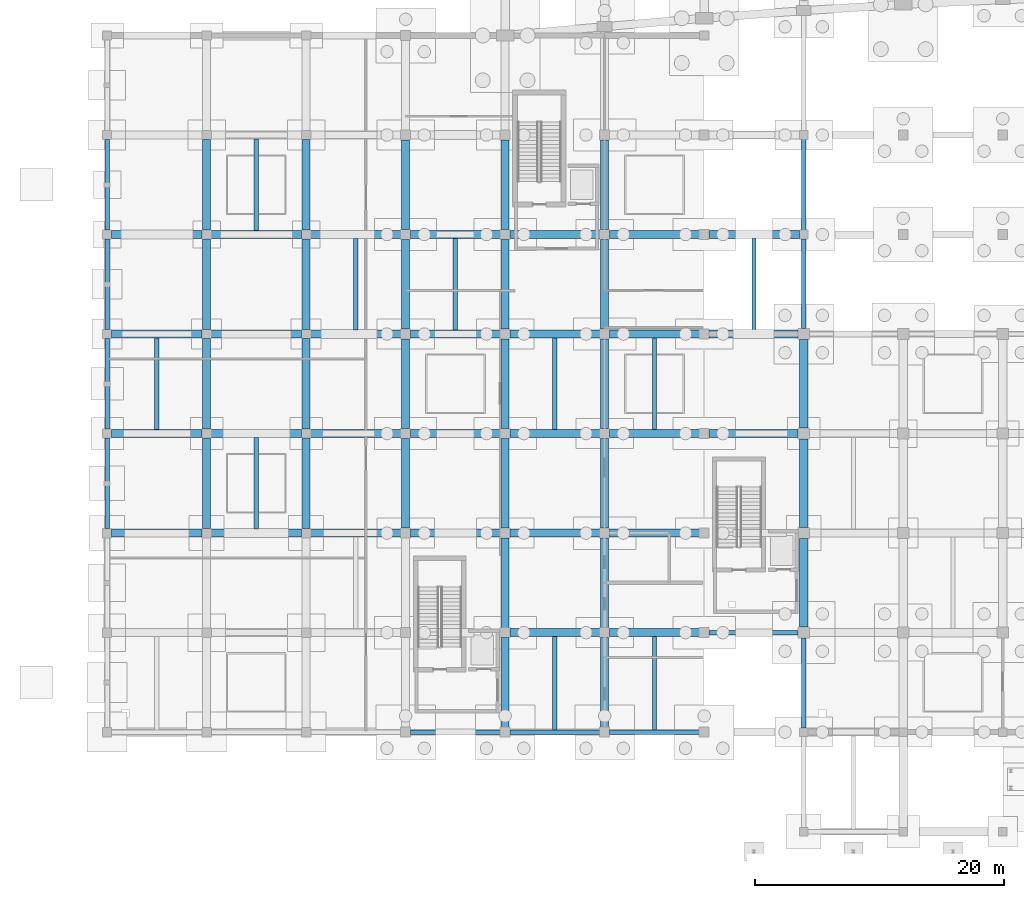
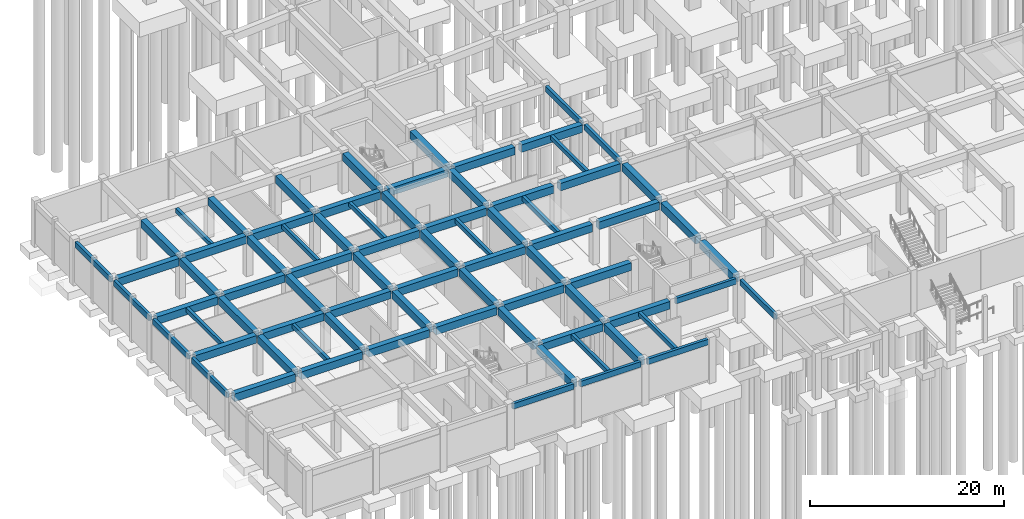
# One storey, part 13 of 45: 77 beams.
"""IFC4 building model written with IfcOpenShell, lengths in metres."""

from ifc_helpers import new_model, si_unit, direction, frame, origin, origin_2d, place, context, subcontext, project, spatial, rectangle, extrude, material, material_profile, profile_set, type_object, element, save


model = new_model("IFC4")

# Units and contexts
model_context = context("Model", 3, precision=1e-05, world=origin(), true_north=direction((0.0, 1.0)))
body_context = subcontext(model_context, "Body", "Model", "MODEL_VIEW")
ifc_project = project(units=[si_unit("LENGTHUNIT", "METRE"), si_unit("AREAUNIT", "SQUARE_METRE"), si_unit("VOLUMEUNIT", "CUBIC_METRE"), si_unit("PLANEANGLEUNIT", "RADIAN"), si_unit("MASSUNIT", "GRAM", prefix="KILO")], contexts=[model_context])

# Site, building, storey
site_placement = place(None, origin())
site = spatial("IfcSite", under=ifc_project, at=site_placement, CompositionType="ELEMENT")
building_placement = place(site_placement, origin())
building = spatial("IfcBuilding", under=site, at=building_placement, Name="Kenh Van Central Station", CompositionType="ELEMENT")
storey_placement = place(building_placement, frame((0.0, 0.0, -5.39990234375)))
storey = spatial("IfcBuildingStorey", under=building, at=storey_placement, Name="B1", CompositionType="ELEMENT", Elevation=-5.39990234375)

# Beams
ifc_material_1 = material(Name="Concrete C40/50", Category="concrete")
ifc_material_profile_1 = material_profile(ifc_material_1, rectangle(XDim=0.64990234375, YDim=0.949951171875, at=origin_2d()), Name="RC 650x950")
ifc_profile_set_1 = profile_set([ifc_material_profile_1], Name="Concrete C40/50")
beam_type_1 = type_object("IfcBeamType", Name="BM-RC-650x950", PredefinedType="BEAM", material=ifc_profile_set_1)
for number, where, z_axis, x_axis, name in (
    (1, (32.389892578125, 16.0, 4.625), (1.0, 0.0, 0.0), (0.0, 1.0, 0.0), "B1 beam 0020"),
    (2, (40.389892578125, 16.0, 4.625), (1.0, 0.0, 0.0), (0.0, 1.0, 0.0), "B1 beam 0021"),
):
    element("IfcBeam", number, at=place(storey_placement, frame(where, z_axis=z_axis, x_axis=x_axis)), inside=storey, type_object=beam_type_1, Name=name, PredefinedType="BEAM", context=body_context, shape_type="SweptSolid", body=[
        extrude(rectangle(XDim=0.64990234375, YDim=0.949951171875, at=origin_2d()), origin(), (0.0, 0.0, 1.0), 7.22021484375),
    ])
for number, where, z_axis, x_axis, name in (
    (3, (0.364990234375, 24.0, 4.625), (1.0, 0.0, 0.0), (0.0, 1.0, 0.0), "B1 beam 0034"),
    (4, (8.364990234375, 24.0, 4.625), (1.0, 0.0, 0.0), (0.0, 1.0, 0.0), "B1 beam 0035"),
):
    element("IfcBeam", number, at=place(storey_placement, frame(where, z_axis=z_axis, x_axis=x_axis)), inside=storey, type_object=beam_type_1, Name=name, PredefinedType="BEAM", context=body_context, shape_type="SweptSolid", body=[
        extrude(rectangle(XDim=0.64990234375, YDim=0.949951171875, at=origin_2d()), origin(), (0.0, 0.0, 1.0), 7.27001953125),
    ])
beam_1_placement = place(storey_placement, frame((16.364990234375, 24.0, 4.625), z_axis=(1.0, 0.0, 0.0), x_axis=(0.0, 1.0, 0.0)))
element("IfcBeam", 5, at=beam_1_placement, inside=storey, type_object=beam_type_1, Name="B1 beam 0036", PredefinedType="BEAM", context=body_context, shape_type="SweptSolid", body=[
    extrude(rectangle(XDim=0.64990234375, YDim=0.949951171875, at=origin_2d()), origin(), (0.0, 0.0, 1.0), 7.2451171875),
])
for number, where, z_axis, x_axis, name in (
    (6, (24.389892578125, 24.0, 4.625), (1.0, 0.0, 0.0), (0.0, 1.0, 0.0), "B1 beam 0037"),
    (7, (32.389892578125, 24.0, 4.625), (1.0, 0.0, 0.0), (0.0, 1.0, 0.0), "B1 beam 0038"),
    (8, (40.389892578125, 24.0, 4.625), (1.0, 0.0, 0.0), (0.0, 1.0, 0.0), "B1 beam 0039"),
):
    element("IfcBeam", number, at=place(storey_placement, frame(where, z_axis=z_axis, x_axis=x_axis)), inside=storey, type_object=beam_type_1, Name=name, PredefinedType="BEAM", context=body_context, shape_type="SweptSolid", body=[
        extrude(rectangle(XDim=0.64990234375, YDim=0.949951171875, at=origin_2d()), origin(), (0.0, 0.0, 1.0), 7.22021484375),
    ])
for number, where, z_axis, x_axis, name in (
    (9, (0.364990234375, 32.0, 4.625), (1.0, 0.0, 0.0), (0.0, 1.0, 0.0), "B1 beam 0053"),
    (10, (8.364990234375, 32.0, 4.625), (1.0, 0.0, 0.0), (0.0, 1.0, 0.0), "B1 beam 0054"),
):
    element("IfcBeam", number, at=place(storey_placement, frame(where, z_axis=z_axis, x_axis=x_axis)), inside=storey, type_object=beam_type_1, Name=name, PredefinedType="BEAM", context=body_context, shape_type="SweptSolid", body=[
        extrude(rectangle(XDim=0.64990234375, YDim=0.949951171875, at=origin_2d()), origin(), (0.0, 0.0, 1.0), 7.27001953125),
    ])
beam_2_placement = place(storey_placement, frame((16.364990234375, 32.0, 4.625), z_axis=(1.0, 0.0, 0.0), x_axis=(0.0, 1.0, 0.0)))
element("IfcBeam", 11, at=beam_2_placement, inside=storey, type_object=beam_type_1, Name="B1 beam 0055", PredefinedType="BEAM", context=body_context, shape_type="SweptSolid", body=[
    extrude(rectangle(XDim=0.64990234375, YDim=0.949951171875, at=origin_2d()), origin(), (0.0, 0.0, 1.0), 7.2451171875),
])
for number, where, z_axis, x_axis, name in (
    (12, (24.389892578125, 32.0, 4.625), (1.0, 0.0, 0.0), (0.0, 1.0, 0.0), "B1 beam 0056"),
    (13, (32.389892578125, 32.0, 4.625), (1.0, 0.0, 0.0), (0.0, 1.0, 0.0), "B1 beam 0057"),
    (14, (40.389892578125, 32.0, 4.625), (1.0, 0.0, 0.0), (0.0, 1.0, 0.0), "B1 beam 0058"),
):
    element("IfcBeam", number, at=place(storey_placement, frame(where, z_axis=z_axis, x_axis=x_axis)), inside=storey, type_object=beam_type_1, Name=name, PredefinedType="BEAM", context=body_context, shape_type="SweptSolid", body=[
        extrude(rectangle(XDim=0.64990234375, YDim=0.949951171875, at=origin_2d()), origin(), (0.0, 0.0, 1.0), 7.22021484375),
    ])
beam_3_placement = place(storey_placement, frame((48.389892578125, 32.0, 4.625), z_axis=(1.0, 0.0, 0.0), x_axis=(0.0, 1.0, 0.0)))
element("IfcBeam", 15, at=beam_3_placement, inside=storey, type_object=beam_type_1, Name="B1 beam 0059", PredefinedType="BEAM", context=body_context, shape_type="SweptSolid", body=[
    extrude(rectangle(XDim=0.64990234375, YDim=0.949951171875, at=origin_2d()), origin(), (0.0, 0.0, 1.0), 7.170166015625),
])
for number, where, z_axis, x_axis, name in (
    (16, (0.364990234375, 40.0, 4.625), (1.0, 0.0, 0.0), (0.0, 1.0, 0.0), "B1 beam 0073"),
    (17, (8.364990234375, 40.0, 4.625), (1.0, 0.0, 0.0), (0.0, 1.0, 0.0), "B1 beam 0074"),
):
    element("IfcBeam", number, at=place(storey_placement, frame(where, z_axis=z_axis, x_axis=x_axis)), inside=storey, type_object=beam_type_1, Name=name, PredefinedType="BEAM", context=body_context, shape_type="SweptSolid", body=[
        extrude(rectangle(XDim=0.64990234375, YDim=0.949951171875, at=origin_2d()), origin(), (0.0, 0.0, 1.0), 7.27001953125),
    ])
beam_4_placement = place(storey_placement, frame((16.364990234375, 40.0, 4.625), z_axis=(1.0, 0.0, 0.0), x_axis=(0.0, 1.0, 0.0)))
element("IfcBeam", 18, at=beam_4_placement, inside=storey, type_object=beam_type_1, Name="B1 beam 0075", PredefinedType="BEAM", context=body_context, shape_type="SweptSolid", body=[
    extrude(rectangle(XDim=0.64990234375, YDim=0.949951171875, at=origin_2d()), origin(), (0.0, 0.0, 1.0), 7.2451171875),
])
for number, where, z_axis, x_axis, name in (
    (19, (24.389892578125, 40.0, 4.625), (1.0, 0.0, 0.0), (0.0, 1.0, 0.0), "B1 beam 0076"),
    (20, (32.389892578125, 40.0, 4.625), (1.0, 0.0, 0.0), (0.0, 1.0, 0.0), "B1 beam 0077"),
    (21, (40.389892578125, 40.0, 4.625), (1.0, 0.0, 0.0), (0.0, 1.0, 0.0), "B1 beam 0078"),
):
    element("IfcBeam", number, at=place(storey_placement, frame(where, z_axis=z_axis, x_axis=x_axis)), inside=storey, type_object=beam_type_1, Name=name, PredefinedType="BEAM", context=body_context, shape_type="SweptSolid", body=[
        extrude(rectangle(XDim=0.64990234375, YDim=0.949951171875, at=origin_2d()), origin(), (0.0, 0.0, 1.0), 7.22021484375),
    ])
beam_5_placement = place(storey_placement, frame((48.389892578125, 40.0, 4.625), z_axis=(1.0, 0.0, 0.0), x_axis=(0.0, 1.0, 0.0)))
element("IfcBeam", 22, at=beam_5_placement, inside=storey, type_object=beam_type_1, Name="B1 beam 0079", PredefinedType="BEAM", context=body_context, shape_type="SweptSolid", body=[
    extrude(rectangle(XDim=0.64990234375, YDim=0.949951171875, at=origin_2d()), origin(), (0.0, 0.0, 1.0), 7.170166015625),
])
for number, where, z_axis, x_axis, name in (
    (23, (0.364990234375, 48.0, 4.625), (1.0, 0.0, 0.0), (0.0, 1.0, 0.0), "B1 beam 0094"),
    (24, (8.364990234375, 48.0, 4.625), (1.0, 0.0, 0.0), (0.0, 1.0, 0.0), "B1 beam 0095"),
):
    element("IfcBeam", number, at=place(storey_placement, frame(where, z_axis=z_axis, x_axis=x_axis)), inside=storey, type_object=beam_type_1, Name=name, PredefinedType="BEAM", context=body_context, shape_type="SweptSolid", body=[
        extrude(rectangle(XDim=0.64990234375, YDim=0.949951171875, at=origin_2d()), origin(), (0.0, 0.0, 1.0), 7.27001953125),
    ])
beam_6_placement = place(storey_placement, frame((16.364990234375, 48.0, 4.625), z_axis=(1.0, 0.0, 0.0), x_axis=(0.0, 1.0, 0.0)))
element("IfcBeam", 25, at=beam_6_placement, inside=storey, type_object=beam_type_1, Name="B1 beam 0096", PredefinedType="BEAM", context=body_context, shape_type="SweptSolid", body=[
    extrude(rectangle(XDim=0.64990234375, YDim=0.949951171875, at=origin_2d()), origin(), (0.0, 0.0, 1.0), 7.2451171875),
])
for number, where, z_axis, x_axis, name in (
    (26, (24.389892578125, 48.0, 4.625), (1.0, 0.0, 0.0), (0.0, 1.0, 0.0), "B1 beam 0097"),
    (27, (32.389892578125, 48.0, 4.625), (1.0, 0.0, 0.0), (0.0, 1.0, 0.0), "B1 beam 0098"),
    (28, (40.389892578125, 48.0, 4.625), (1.0, 0.0, 0.0), (0.0, 1.0, 0.0), "B1 beam 0099"),
):
    element("IfcBeam", number, at=place(storey_placement, frame(where, z_axis=z_axis, x_axis=x_axis)), inside=storey, type_object=beam_type_1, Name=name, PredefinedType="BEAM", context=body_context, shape_type="SweptSolid", body=[
        extrude(rectangle(XDim=0.64990234375, YDim=0.949951171875, at=origin_2d()), origin(), (0.0, 0.0, 1.0), 7.22021484375),
    ])
for number, where, z_axis, x_axis, name in (
    (29, (48.389892578125, 48.0, 4.625), (1.0, 0.0, 0.0), (0.0, 1.0, 0.0), "B1 beam 0100"),
    (30, (8.0, 24.364990234375, 4.625), (0.0, 1.0, 0.0), (-1.0, 0.0, 0.0), "B1 beam 0157"),
    (31, (8.0, 32.364990234375, 4.625), (0.0, 1.0, 0.0), (-1.0, 0.0, 0.0), "B1 beam 0158"),
    (32, (8.0, 40.364990234375, 4.625), (0.0, 1.0, 0.0), (-1.0, 0.0, 0.0), "B1 beam 0159"),
    (33, (8.0, 48.364990234375, 4.625), (0.0, 1.0, 0.0), (-1.0, 0.0, 0.0), "B1 beam 0160"),
    (34, (16.0, 24.364990234375, 4.625), (0.0, 1.0, 0.0), (-1.0, 0.0, 0.0), "B1 beam 0164"),
    (35, (16.0, 32.364990234375, 4.625), (0.0, 1.0, 0.0), (-1.0, 0.0, 0.0), "B1 beam 0165"),
    (36, (16.0, 40.364990234375, 4.625), (0.0, 1.0, 0.0), (-1.0, 0.0, 0.0), "B1 beam 0166"),
    (37, (16.0, 48.364990234375, 4.625), (0.0, 1.0, 0.0), (-1.0, 0.0, 0.0), "B1 beam 0167"),
):
    element("IfcBeam", number, at=place(storey_placement, frame(where, z_axis=z_axis, x_axis=x_axis)), inside=storey, type_object=beam_type_1, Name=name, PredefinedType="BEAM", context=body_context, shape_type="SweptSolid", body=[
        extrude(rectangle(XDim=0.64990234375, YDim=0.949951171875, at=origin_2d()), origin(), (0.0, 0.0, 1.0), 7.27001953125),
    ])
for number, where, z_axis, x_axis, name in (
    (38, (24.0, 24.389892578125, 4.625), (0.0, 1.0, 0.0), (-1.0, 0.0, 0.0), "B1 beam 0171"),
    (39, (24.0, 32.389892578125, 4.625), (0.0, 1.0, 0.0), (-1.0, 0.0, 0.0), "B1 beam 0172"),
    (40, (24.0, 40.389892578125, 4.625), (0.0, 1.0, 0.0), (-1.0, 0.0, 0.0), "B1 beam 0173"),
    (41, (24.0, 48.389892578125, 4.625), (0.0, 1.0, 0.0), (-1.0, 0.0, 0.0), "B1 beam 0174"),
    (42, (32.0, 8.389892578125, 4.625), (0.0, 1.0, 0.0), (-1.0, 0.0, 0.0), "B1 beam 0176"),
    (43, (32.0, 16.389892578125, 4.625), (0.0, 1.0, 0.0), (-1.0, 0.0, 0.0), "B1 beam 0177"),
    (44, (32.0, 24.389892578125, 4.625), (0.0, 1.0, 0.0), (-1.0, 0.0, 0.0), "B1 beam 0178"),
    (45, (32.0, 32.389892578125, 4.625), (0.0, 1.0, 0.0), (-1.0, 0.0, 0.0), "B1 beam 0179"),
    (46, (32.0, 40.389892578125, 4.625), (0.0, 1.0, 0.0), (-1.0, 0.0, 0.0), "B1 beam 0180"),
    (47, (32.0, 48.389892578125, 4.625), (0.0, 1.0, 0.0), (-1.0, 0.0, 0.0), "B1 beam 0181"),
    (48, (40.0, 8.389892578125, 4.625), (0.0, 1.0, 0.0), (-1.0, 0.0, 0.0), "B1 beam 0183"),
    (49, (40.0, 16.389892578125, 4.625), (0.0, 1.0, 0.0), (-1.0, 0.0, 0.0), "B1 beam 0184"),
    (50, (40.0, 24.389892578125, 4.625), (0.0, 1.0, 0.0), (-1.0, 0.0, 0.0), "B1 beam 0185"),
    (51, (40.0, 32.389892578125, 4.625), (0.0, 1.0, 0.0), (-1.0, 0.0, 0.0), "B1 beam 0186"),
    (52, (40.0, 40.389892578125, 4.625), (0.0, 1.0, 0.0), (-1.0, 0.0, 0.0), "B1 beam 0187"),
    (53, (40.0, 48.389892578125, 4.625), (0.0, 1.0, 0.0), (-1.0, 0.0, 0.0), "B1 beam 0188"),
):
    element("IfcBeam", number, at=place(storey_placement, frame(where, z_axis=z_axis, x_axis=x_axis)), inside=storey, type_object=beam_type_1, Name=name, PredefinedType="BEAM", context=body_context, shape_type="SweptSolid", body=[
        extrude(rectangle(XDim=0.64990234375, YDim=0.949951171875, at=origin_2d()), origin(), (0.0, 0.0, 1.0), 7.22021484375),
    ])
for number, where, z_axis, x_axis, name in (
    (54, (56.0, 16.43994140625, 4.625), (0.0, 1.0, 0.0), (-1.0, 0.0, 0.0), "B1 beam 0192"),
    (55, (56.0, 24.43994140625, 4.625), (0.0, 1.0, 0.0), (-1.0, 0.0, 0.0), "B1 beam 0193"),
    (56, (56.0, 32.43994140625, 4.625), (0.0, 1.0, 0.0), (-1.0, 0.0, 0.0), "B1 beam 0194"),
):
    element("IfcBeam", number, at=place(storey_placement, frame(where, z_axis=z_axis, x_axis=x_axis)), inside=storey, type_object=beam_type_1, Name=name, PredefinedType="BEAM", context=body_context, shape_type="SweptSolid", body=[
        extrude(rectangle(XDim=0.64990234375, YDim=0.949951171875, at=origin_2d()), origin(), (0.0, 0.0, 1.0), 7.1201171875),
    ])
ifc_material_2 = material(Name="Concrete C35/45", Category="concrete")
ifc_material_profile_2 = material_profile(ifc_material_2, rectangle(XDim=0.35009765625, YDim=0.550048828125, at=origin_2d()), Name="RC 350x550")
ifc_profile_set_2 = profile_set([ifc_material_profile_2], Name="Concrete C35/45")
beam_type_2 = type_object("IfcBeamType", Name="JST-RC-350x550", PredefinedType="JOIST", material=ifc_profile_set_2)
for number, where, z_axis, x_axis, name in (
    (57, (4.0, 32.324951171875, 4.824951171875), (0.0, 1.0, 0.0), (-1.0, 0.0, 0.0), "B1 floor joist 0314"),
    (58, (12.0, 24.324951171875, 4.824951171875), (0.0, 1.0, 0.0), (-1.0, 0.0, 0.0), "B1 floor joist 0315"),
    (59, (12.0, 48.324951171875, 4.824951171875), (0.0, 1.0, 0.0), (-1.0, 0.0, 0.0), "B1 floor joist 0316"),
    (60, (20.0, 40.324951171875, 4.824951171875), (0.0, 1.0, 0.0), (-1.0, 0.0, 0.0), "B1 floor joist 0318"),
    (61, (28.0, 40.324951171875, 4.824951171875), (0.0, 1.0, 0.0), (-1.0, 0.0, 0.0), "B1 floor joist 0319"),
):
    element("IfcBeam", number, at=place(storey_placement, frame(where, z_axis=z_axis, x_axis=x_axis)), inside=storey, type_object=beam_type_2, Name=name, PredefinedType="JOIST", context=body_context, shape_type="SweptSolid", body=[
        extrude(rectangle(XDim=0.35009765625, YDim=0.550048828125, at=origin_2d()), origin(), (0.0, 0.0, 1.0), 7.35009765625),
    ])
beam_7_placement = place(storey_placement, frame((36.0, 8.175048828125, 4.824951171875), z_axis=(0.0, 1.0, 0.0), x_axis=(-1.0, 0.0, 0.0)))
element("IfcBeam", 62, at=beam_7_placement, inside=storey, type_object=beam_type_2, Name="B1 floor joist 0320", PredefinedType="JOIST", context=body_context, shape_type="SweptSolid", body=[
    extrude(rectangle(XDim=0.35009765625, YDim=0.550048828125, at=origin_2d()), origin(), (0.0, 0.0, 1.0), 7.5),
])
beam_8_placement = place(storey_placement, frame((36.0, 32.324951171875, 4.824951171875), z_axis=(0.0, 1.0, 0.0), x_axis=(-1.0, 0.0, 0.0)))
element("IfcBeam", 63, at=beam_8_placement, inside=storey, type_object=beam_type_2, Name="B1 floor joist 0321", PredefinedType="JOIST", context=body_context, shape_type="SweptSolid", body=[
    extrude(rectangle(XDim=0.35009765625, YDim=0.550048828125, at=origin_2d()), origin(), (0.0, 0.0, 1.0), 7.35009765625),
])
beam_9_placement = place(storey_placement, frame((44.0, 8.175048828125, 4.824951171875), z_axis=(0.0, 1.0, 0.0), x_axis=(-1.0, 0.0, 0.0)))
element("IfcBeam", 64, at=beam_9_placement, inside=storey, type_object=beam_type_2, Name="B1 floor joist 0322", PredefinedType="JOIST", context=body_context, shape_type="SweptSolid", body=[
    extrude(rectangle(XDim=0.35009765625, YDim=0.550048828125, at=origin_2d()), origin(), (0.0, 0.0, 1.0), 7.5),
])
for number, where, z_axis, x_axis, name in (
    (65, (44.0, 32.324951171875, 4.824951171875), (0.0, 1.0, 0.0), (-1.0, 0.0, 0.0), "B1 floor joist 0323"),
    (66, (52.0, 40.324951171875, 4.824951171875), (0.0, 1.0, 0.0), (-1.0, 0.0, 0.0), "B1 floor joist 0324"),
):
    element("IfcBeam", number, at=place(storey_placement, frame(where, z_axis=z_axis, x_axis=x_axis)), inside=storey, type_object=beam_type_2, Name=name, PredefinedType="JOIST", context=body_context, shape_type="SweptSolid", body=[
        extrude(rectangle(XDim=0.35009765625, YDim=0.550048828125, at=origin_2d()), origin(), (0.0, 0.0, 1.0), 7.35009765625),
    ])
ifc_material_profile_3 = material_profile(ifc_material_2, rectangle(XDim=0.35009765625, YDim=0.699951171875, at=origin_2d()), Name="RC 350x700")
ifc_profile_set_3 = profile_set([ifc_material_profile_3], Name="Concrete C35/45")
beam_type_3 = type_object("IfcBeamType", Name="SPD-RC-350x700", PredefinedType="SPANDREL", material=ifc_profile_set_3)
for number, where, z_axis, x_axis, name in (
    (67, (24.389892578125, 8.0, 4.75), (1.0, 0.0, 0.0), (0.0, 1.0, 0.0), "B1 beam 0006"),
    (68, (32.389892578125, 8.0, 4.75), (1.0, 0.0, 0.0), (0.0, 1.0, 0.0), "B1 beam 0007"),
    (69, (40.389892578125, 8.0, 4.75), (1.0, 0.0, 0.0), (0.0, 1.0, 0.0), "B1 beam 0008"),
):
    element("IfcBeam", number, at=place(storey_placement, frame(where, z_axis=z_axis, x_axis=x_axis)), inside=storey, type_object=beam_type_3, Name=name, PredefinedType="SPANDREL", context=body_context, shape_type="SweptSolid", body=[
        extrude(rectangle(XDim=0.35009765625, YDim=0.699951171875, at=origin_2d()), origin(), (0.0, 0.0, 1.0), 7.22021484375),
    ])
beam_10_placement = place(storey_placement, frame((48.389892578125, 16.0, 4.75), z_axis=(1.0, 0.0, 0.0), x_axis=(0.0, 1.0, 0.0)))
element("IfcBeam", 70, at=beam_10_placement, inside=storey, type_object=beam_type_3, Name="B1 beam 0022", PredefinedType="SPANDREL", context=body_context, shape_type="SweptSolid", body=[
    extrude(rectangle(XDim=0.35009765625, YDim=0.699951171875, at=origin_2d()), origin(), (0.0, 0.0, 1.0), 7.170166015625),
])
for number, where, z_axis, x_axis, name in (
    (71, (0.0, 24.364990234375, 4.75), (0.0, 1.0, 0.0), (-1.0, 0.0, 0.0), "B1 beam 0150"),
    (72, (0.0, 32.364990234375, 4.75), (0.0, 1.0, 0.0), (-1.0, 0.0, 0.0), "B1 beam 0151"),
    (73, (0.0, 40.364990234375, 4.75), (0.0, 1.0, 0.0), (-1.0, 0.0, 0.0), "B1 beam 0152"),
    (74, (0.0, 48.364990234375, 4.75), (0.0, 1.0, 0.0), (-1.0, 0.0, 0.0), "B1 beam 0153"),
):
    element("IfcBeam", number, at=place(storey_placement, frame(where, z_axis=z_axis, x_axis=x_axis)), inside=storey, type_object=beam_type_3, Name=name, PredefinedType="SPANDREL", context=body_context, shape_type="SweptSolid", body=[
        extrude(rectangle(XDim=0.35009765625, YDim=0.699951171875, at=origin_2d()), origin(), (0.0, 0.0, 1.0), 7.27001953125),
    ])
for number, where, z_axis, x_axis, name in (
    (75, (56.0, 8.340087890625, 4.7099609375), (0.0, 1.0, 0.0), (-1.0, 0.0, 0.0), "B1 beam 0191"),
    (76, (56.0, 40.43994140625, 4.75), (0.0, 1.0, 0.0), (-1.0, 0.0, 0.0), "B1 beam 0195"),
):
    element("IfcBeam", number, at=place(storey_placement, frame(where, z_axis=z_axis, x_axis=x_axis)), inside=storey, type_object=beam_type_3, Name=name, PredefinedType="SPANDREL", context=body_context, shape_type="SweptSolid", body=[
        extrude(rectangle(XDim=0.35009765625, YDim=0.699951171875, at=origin_2d()), origin(), (0.0, 0.0, 1.0), 7.219970703125),
    ])
beam_11_placement = place(storey_placement, frame((56.0, 48.340087890625, 4.75), z_axis=(0.0, 1.0, 0.0), x_axis=(-1.0, 0.0, 0.0)))
element("IfcBeam", 77, at=beam_11_placement, inside=storey, type_object=beam_type_3, Name="B1 beam 0196", PredefinedType="SPANDREL", context=body_context, shape_type="SweptSolid", body=[
    extrude(rectangle(XDim=0.35009765625, YDim=0.699951171875, at=origin_2d()), origin(), (0.0, 0.0, 1.0), 7.31982421875),
])

save(model, "model.ifc")
